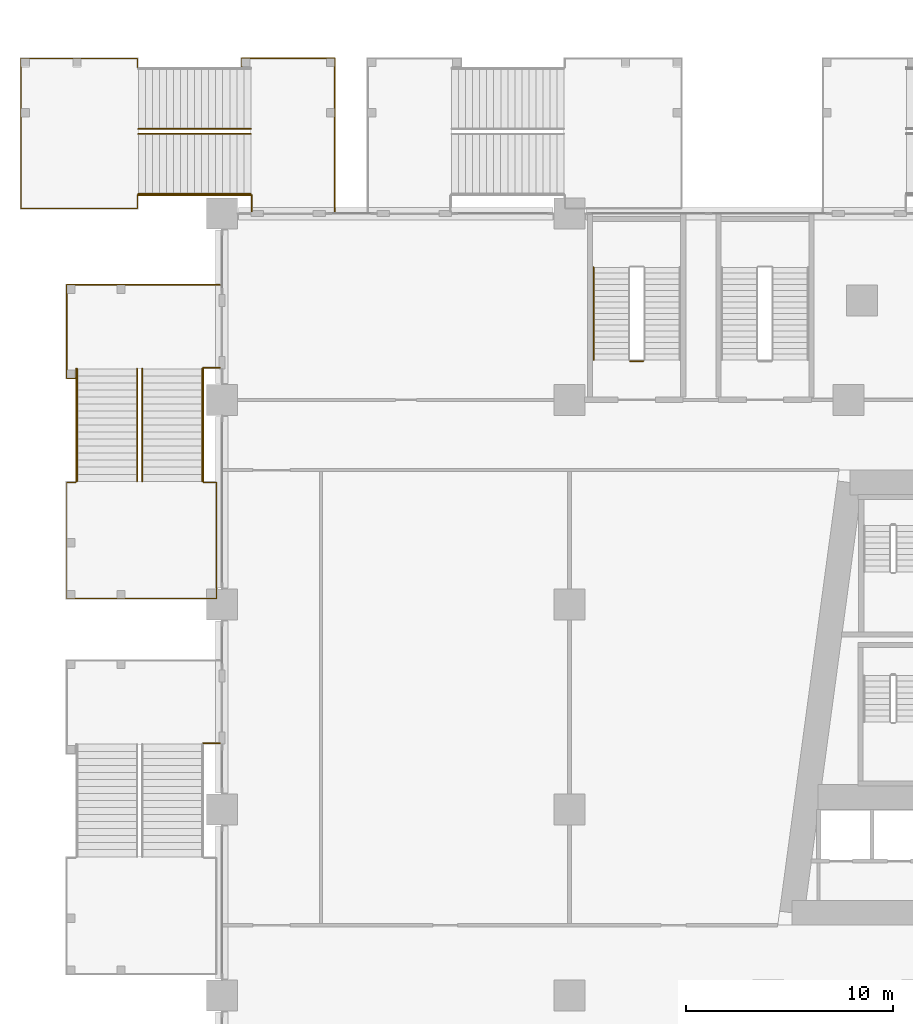
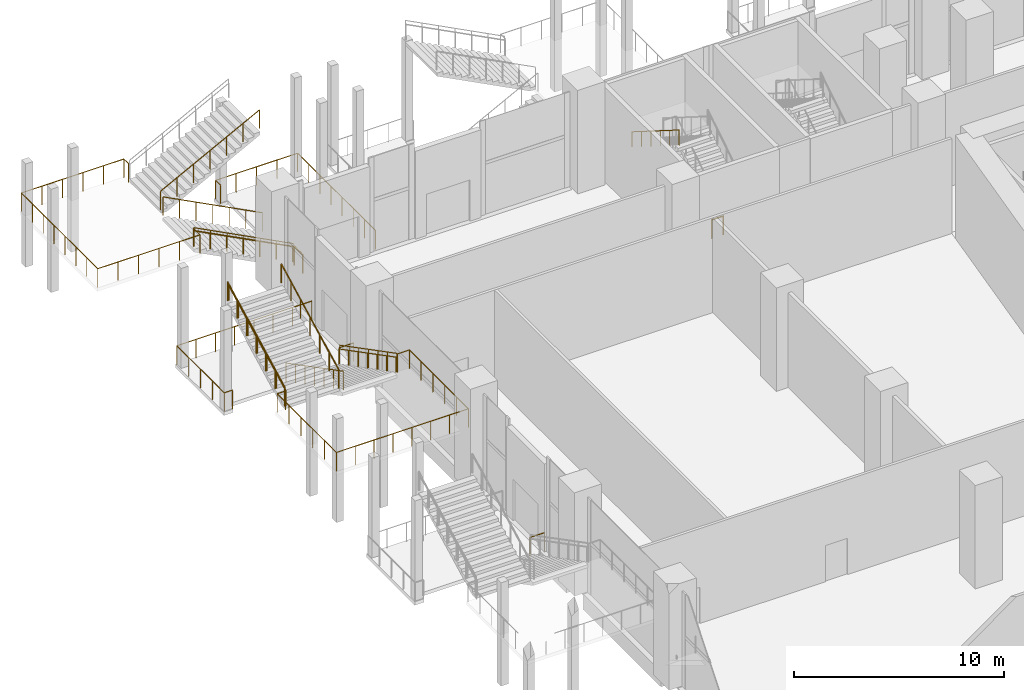
# One storey, part 40 of 49: 19 railings.
"""IFC4 building model written with IfcOpenShell, lengths in metres."""

from ifc_helpers import new_model, si_unit, direction, frame, origin, origin_2d, place, context, subcontext, project, spatial, circle, extrude, material, type_object, element, save


model = new_model("IFC4")

# Units and contexts
model_context = context("Model", 3, precision=1e-05, world=origin(), true_north=direction((0.0, 1.0)))
body_context = subcontext(model_context, "Body", "Model", "MODEL_VIEW")
ifc_project = project(units=[si_unit("LENGTHUNIT", "METRE"), si_unit("AREAUNIT", "SQUARE_METRE"), si_unit("VOLUMEUNIT", "CUBIC_METRE"), si_unit("PLANEANGLEUNIT", "RADIAN"), si_unit("MASSUNIT", "GRAM", prefix="KILO")], contexts=[model_context])

# Site, building, storey
site_placement = place(None, origin())
site = spatial("IfcSite", under=ifc_project, at=site_placement, CompositionType="ELEMENT")
building_placement = place(site_placement, origin())
building = spatial("IfcBuilding", under=site, at=building_placement, Name="Candeia Pilgrim Tower and Theatre", CompositionType="ELEMENT")
storey_placement = place(building_placement, frame((0.0, 0.0, 17.0)))
storey = spatial("IfcBuildingStorey", under=building, at=storey_placement, Name="L02", CompositionType="ELEMENT", Elevation=17.0)

# Railings
ifc_material_1 = material(Name="Stainless steel balustrade", Category="steel")
railing_type_1 = type_object("IfcRailingType", Name="RL-GUARD-1100", PredefinedType="GUARDRAIL", material=ifc_material_1)
railing_1_placement = place(storey_placement, frame((79.175048828125, 137.675048828125, 0.0)))
element("IfcRailing", 1, at=railing_1_placement, inside=storey, type_object=railing_type_1, Name="L02 PS1 stair guard 2", PredefinedType="GUARDRAIL", context=body_context, shape_type="SweptSolid", body=[
    extrude(circle(Radius=0.02392578125, at=origin_2d()), frame((0.0, 0.0, 1.076171875), z_axis=(-1.0, 0.0, 0.0), x_axis=(0.0, -1.0, 0.0)), (0.0, 0.0, 1.0), 0.650146484375),
    extrude(circle(Radius=0.02099609375, at=origin_2d()), origin(), (0.0, 0.0, 1.0), 1.052001953125),
    extrude(circle(Radius=0.02099609375, at=origin_2d()), frame((-0.650146484375, 0.0, 0.0)), (0.0, 0.0, 1.0), 1.052001953125),
])
railing_2_placement = place(storey_placement, frame((60.199951171875, 148.64990234375, 0.176513671875)))
element("IfcRailing", 2, at=railing_2_placement, inside=storey, type_object=railing_type_1, Name="L02 ES3 stair guard 1", PredefinedType="GUARDRAIL", context=body_context, shape_type="SweptSolid", body=[
    extrude(circle(Radius=0.02392578125, at=origin_2d()), frame((0.0, 0.0, 1.076171875), z_axis=(-0.887569374008, 0.0, 0.460674078198), x_axis=(0.0, -1.0, 0.0)), (0.0, 0.0, 1.0), 6.129150390625),
    extrude(circle(Radius=0.02099609375, at=origin_2d()), origin(), (0.0, 0.0, 1.0), 1.052001953125),
    extrude(circle(Radius=0.02099609375, at=origin_2d()), frame((-0.90673828125, 0.0, 0.470703125)), (0.0, 0.0, 1.0), 1.052001953125),
    extrude(circle(Radius=0.02099609375, at=origin_2d()), frame((-1.813232421875, 0.0, 0.941162109375)), (0.0, 0.0, 1.0), 1.052001953125),
    extrude(circle(Radius=0.02099609375, at=origin_2d()), frame((-2.719970703125, 0.0, 1.41162109375)), (0.0, 0.0, 1.0), 1.052001953125),
    extrude(circle(Radius=0.02099609375, at=origin_2d()), frame((-3.626708984375, 0.0, 1.88232421875)), (0.0, 0.0, 1.0), 1.052001953125),
    extrude(circle(Radius=0.02099609375, at=origin_2d()), frame((-4.533203125, 0.0, 2.35302734375)), (0.0, 0.0, 1.0), 1.052001953125),
    extrude(circle(Radius=0.02099609375, at=origin_2d()), frame((-5.43994140625, 0.0, 2.823486328125)), (0.0, 0.0, 1.0), 1.052001953125),
])
railing_3_placement = place(storey_placement, frame((54.760009765625, 148.89990234375, 3.176513671875)))
element("IfcRailing", 3, at=railing_3_placement, inside=storey, type_object=railing_type_1, Name="L02 ES3 stair guard 2", PredefinedType="GUARDRAIL", context=body_context, shape_type="SweptSolid", body=[
    extrude(circle(Radius=0.02392578125, at=origin_2d()), frame((0.0, 0.0, 1.076171875), z_axis=(0.887569374008, 0.0, 0.460674078198), x_axis=(0.0, 1.0, 0.0)), (0.0, 0.0, 1.0), 6.129150390625),
    extrude(circle(Radius=0.02099609375, at=origin_2d()), origin(), (0.0, 0.0, 1.0), 1.052001953125),
    extrude(circle(Radius=0.02099609375, at=origin_2d()), frame((0.90673828125, 0.0, 0.470703125)), (0.0, 0.0, 1.0), 1.052001953125),
    extrude(circle(Radius=0.02099609375, at=origin_2d()), frame((1.813232421875, 0.0, 0.941162109375)), (0.0, 0.0, 1.0), 1.052001953125),
    extrude(circle(Radius=0.02099609375, at=origin_2d()), frame((2.719970703125, 0.0, 1.41162109375)), (0.0, 0.0, 1.0), 1.052001953125),
    extrude(circle(Radius=0.02099609375, at=origin_2d()), frame((3.626708984375, 0.0, 1.88232421875)), (0.0, 0.0, 1.0), 1.052001953125),
    extrude(circle(Radius=0.02099609375, at=origin_2d()), frame((4.533203125, 0.0, 2.35302734375)), (0.0, 0.0, 1.0), 1.052001953125),
    extrude(circle(Radius=0.02099609375, at=origin_2d()), frame((5.43994140625, 0.0, 2.823486328125)), (0.0, 0.0, 1.0), 1.052001953125),
])
railing_4_placement = place(storey_placement, frame((60.199951171875, 145.699951171875, 0.176513671875)))
element("IfcRailing", 4, at=railing_4_placement, inside=storey, type_object=railing_type_1, Name="L02 ES3 stair guard 3", PredefinedType="GUARDRAIL", context=body_context, shape_type="SweptSolid", body=[
    extrude(circle(Radius=0.02392578125, at=origin_2d()), frame((0.0, 0.0, 1.076171875), z_axis=(-0.887569374008, 0.0, 0.460674078198), x_axis=(0.0, -1.0, 0.0)), (0.0, 0.0, 1.0), 6.129150390625),
    extrude(circle(Radius=0.02099609375, at=origin_2d()), origin(), (0.0, 0.0, 1.0), 1.052001953125),
    extrude(circle(Radius=0.02099609375, at=origin_2d()), frame((-0.90673828125, 0.0, 0.470703125)), (0.0, 0.0, 1.0), 1.052001953125),
    extrude(circle(Radius=0.02099609375, at=origin_2d()), frame((-1.813232421875, 0.0, 0.941162109375)), (0.0, 0.0, 1.0), 1.052001953125),
    extrude(circle(Radius=0.02099609375, at=origin_2d()), frame((-2.719970703125, 0.0, 1.41162109375)), (0.0, 0.0, 1.0), 1.052001953125),
    extrude(circle(Radius=0.02099609375, at=origin_2d()), frame((-3.626708984375, 0.0, 1.88232421875)), (0.0, 0.0, 1.0), 1.052001953125),
    extrude(circle(Radius=0.02099609375, at=origin_2d()), frame((-4.533203125, 0.0, 2.35302734375)), (0.0, 0.0, 1.0), 1.052001953125),
    extrude(circle(Radius=0.02099609375, at=origin_2d()), frame((-5.43994140625, 0.0, 2.823486328125)), (0.0, 0.0, 1.0), 1.052001953125),
])
railing_5_placement = place(storey_placement, frame((54.7099609375, 145.699951171875, 3.0)))
element("IfcRailing", 5, at=railing_5_placement, inside=storey, type_object=railing_type_1, Name="L02 ES3 stair guard 5", PredefinedType="GUARDRAIL", context=body_context, shape_type="SweptSolid", body=[
    extrude(circle(Radius=0.02392578125, at=origin_2d()), frame((0.0, 0.0, 1.076171875), z_axis=(0.0, -1.0, 0.0), x_axis=(1.0, 0.0, 0.0)), (0.0, 0.0, 1.0), 0.64990234375),
    extrude(circle(Radius=0.02392578125, at=origin_2d()), frame((0.0, -0.64990234375, 1.076171875), z_axis=(-1.0, 0.0, 0.0), x_axis=(0.0, -1.0, 0.0)), (0.0, 0.0, 1.0), 5.619873046875),
    extrude(circle(Radius=0.02392578125, at=origin_2d()), frame((-5.619873046875, -0.64990234375, 1.076171875), z_axis=(0.0, 1.0, 0.0), x_axis=(-1.0, 0.0, 0.0)), (0.0, 0.0, 1.0), 7.25),
    extrude(circle(Radius=0.02392578125, at=origin_2d()), frame((-5.619873046875, 6.60009765625, 1.076171875), z_axis=(1.0, 0.0, 0.0), x_axis=(0.0, 1.0, 0.0)), (0.0, 0.0, 1.0), 5.619873046875),
    extrude(circle(Radius=0.02392578125, at=origin_2d()), frame((0.0, 6.60009765625, 1.076171875), z_axis=(0.0, -1.0, 0.0), x_axis=(1.0, 0.0, 0.0)), (0.0, 0.0, 1.0), 0.449951171875),
    extrude(circle(Radius=0.02099609375, at=origin_2d()), origin(), (0.0, 0.0, 1.0), 1.052001953125),
    extrude(circle(Radius=0.02099609375, at=origin_2d()), frame((0.0, -0.64990234375, 0.0)), (0.0, 0.0, 1.0), 1.052001953125),
    extrude(circle(Radius=0.02099609375, at=origin_2d()), frame((-1.1240234375, -0.64990234375, 0.0)), (0.0, 0.0, 1.0), 1.052001953125),
    extrude(circle(Radius=0.02099609375, at=origin_2d()), frame((-2.248046875, -0.64990234375, 0.0)), (0.0, 0.0, 1.0), 1.052001953125),
    extrude(circle(Radius=0.02099609375, at=origin_2d()), frame((-3.371826171875, -0.64990234375, 0.0)), (0.0, 0.0, 1.0), 1.052001953125),
    extrude(circle(Radius=0.02099609375, at=origin_2d()), frame((-4.495849609375, -0.64990234375, 0.0)), (0.0, 0.0, 1.0), 1.052001953125),
    extrude(circle(Radius=0.02099609375, at=origin_2d()), frame((-5.619873046875, -0.64990234375, 0.0)), (0.0, 0.0, 1.0), 1.052001953125),
    extrude(circle(Radius=0.02099609375, at=origin_2d()), frame((-5.619873046875, 0.3857421875, 0.0)), (0.0, 0.0, 1.0), 1.052001953125),
    extrude(circle(Radius=0.02099609375, at=origin_2d()), frame((-5.619873046875, 1.421630859375, 0.0)), (0.0, 0.0, 1.0), 1.052001953125),
    extrude(circle(Radius=0.02099609375, at=origin_2d()), frame((-5.619873046875, 2.457275390625, 0.0)), (0.0, 0.0, 1.0), 1.052001953125),
    extrude(circle(Radius=0.02099609375, at=origin_2d()), frame((-5.619873046875, 3.492919921875, 0.0)), (0.0, 0.0, 1.0), 1.052001953125),
    extrude(circle(Radius=0.02099609375, at=origin_2d()), frame((-5.619873046875, 4.528564453125, 0.0)), (0.0, 0.0, 1.0), 1.052001953125),
    extrude(circle(Radius=0.02099609375, at=origin_2d()), frame((-5.619873046875, 5.564453125, 0.0)), (0.0, 0.0, 1.0), 1.052001953125),
    extrude(circle(Radius=0.02099609375, at=origin_2d()), frame((-5.619873046875, 6.60009765625, 0.0)), (0.0, 0.0, 1.0), 1.052001953125),
    extrude(circle(Radius=0.02099609375, at=origin_2d()), frame((-4.495849609375, 6.60009765625, 0.0)), (0.0, 0.0, 1.0), 1.052001953125),
    extrude(circle(Radius=0.02099609375, at=origin_2d()), frame((-3.371826171875, 6.60009765625, 0.0)), (0.0, 0.0, 1.0), 1.052001953125),
    extrude(circle(Radius=0.02099609375, at=origin_2d()), frame((-2.248046875, 6.60009765625, 0.0)), (0.0, 0.0, 1.0), 1.052001953125),
    extrude(circle(Radius=0.02099609375, at=origin_2d()), frame((-1.1240234375, 6.60009765625, 0.0)), (0.0, 0.0, 1.0), 1.052001953125),
    extrude(circle(Radius=0.02099609375, at=origin_2d()), frame((0.0, 6.60009765625, 0.0)), (0.0, 0.0, 1.0), 1.052001953125),
    extrude(circle(Radius=0.02099609375, at=origin_2d()), frame((0.0, 6.150146484375, 0.0)), (0.0, 0.0, 1.0), 1.052001953125),
])
railing_6_placement = place(storey_placement, frame((64.25, 144.89990234375, 0.0)))
element("IfcRailing", 6, at=railing_6_placement, inside=storey, type_object=railing_type_1, Name="L02 External escape stair ES3 landing guard", PredefinedType="GUARDRAIL", context=body_context, shape_type="SweptSolid", body=[
    extrude(circle(Radius=0.02392578125, at=origin_2d()), frame((0.0, 0.0, 1.076171875), z_axis=(0.0, 1.0, 0.0), x_axis=(-1.0, 0.0, 0.0)), (0.0, 0.0, 1.0), 7.400146484375),
    extrude(circle(Radius=0.02392578125, at=origin_2d()), frame((0.0, 7.400146484375, 1.076171875), z_axis=(-1.0, 0.0, 0.0), x_axis=(0.0, -1.0, 0.0)), (0.0, 0.0, 1.0), 4.5),
    extrude(circle(Radius=0.02392578125, at=origin_2d()), frame((-4.5, 7.400146484375, 1.076171875), z_axis=(0.0, -1.0, 0.0), x_axis=(1.0, 0.0, 0.0)), (0.0, 0.0, 1.0), 0.449951171875),
    extrude(circle(Radius=0.02099609375, at=origin_2d()), origin(), (0.0, 0.0, 1.0), 1.052001953125),
    extrude(circle(Radius=0.02099609375, at=origin_2d()), frame((0.0, 1.05712890625, 0.0)), (0.0, 0.0, 1.0), 1.052001953125),
    extrude(circle(Radius=0.02099609375, at=origin_2d()), frame((0.0, 2.1142578125, 0.0)), (0.0, 0.0, 1.0), 1.052001953125),
    extrude(circle(Radius=0.02099609375, at=origin_2d()), frame((0.0, 3.17138671875, 0.0)), (0.0, 0.0, 1.0), 1.052001953125),
    extrude(circle(Radius=0.02099609375, at=origin_2d()), frame((0.0, 4.228759765625, 0.0)), (0.0, 0.0, 1.0), 1.052001953125),
    extrude(circle(Radius=0.02099609375, at=origin_2d()), frame((0.0, 5.285888671875, 0.0)), (0.0, 0.0, 1.0), 1.052001953125),
    extrude(circle(Radius=0.02099609375, at=origin_2d()), frame((0.0, 6.343017578125, 0.0)), (0.0, 0.0, 1.0), 1.052001953125),
    extrude(circle(Radius=0.02099609375, at=origin_2d()), frame((0.0, 7.400146484375, 0.0)), (0.0, 0.0, 1.0), 1.052001953125),
    extrude(circle(Radius=0.02099609375, at=origin_2d()), frame((-1.125, 7.400146484375, 0.0)), (0.0, 0.0, 1.0), 1.052001953125),
    extrude(circle(Radius=0.02099609375, at=origin_2d()), frame((-2.25, 7.400146484375, 0.0)), (0.0, 0.0, 1.0), 1.052001953125),
    extrude(circle(Radius=0.02099609375, at=origin_2d()), frame((-3.375, 7.400146484375, 0.0)), (0.0, 0.0, 1.0), 1.052001953125),
    extrude(circle(Radius=0.02099609375, at=origin_2d()), frame((-4.5, 7.400146484375, 0.0)), (0.0, 0.0, 1.0), 1.052001953125),
    extrude(circle(Radius=0.02099609375, at=origin_2d()), frame((-4.5, 6.9501953125, 0.0)), (0.0, 0.0, 1.0), 1.052001953125),
])
railing_7_placement = place(storey_placement, frame((60.25, 144.89990234375, 0.0)))
element("IfcRailing", 7, at=railing_7_placement, inside=storey, type_object=railing_type_1, Name="L02 External escape stair ES3 bridge guard", PredefinedType="GUARDRAIL", context=body_context, shape_type="SweptSolid", body=[
    extrude(circle(Radius=0.02392578125, at=origin_2d()), frame((0.0, 0.0, 1.076171875), z_axis=(0.0, 1.0, 0.0), x_axis=(-1.0, 0.0, 0.0)), (0.0, 0.0, 1.0), 0.800048828125),
    extrude(circle(Radius=0.02099609375, at=origin_2d()), origin(), (0.0, 0.0, 1.0), 1.052001953125),
    extrude(circle(Radius=0.02099609375, at=origin_2d()), frame((0.0, 0.800048828125, 0.0)), (0.0, 0.0, 1.0), 1.052001953125),
])
railing_8_placement = place(storey_placement, frame((54.949951171875, 137.300048828125, 0.176513671875)))
element("IfcRailing", 8, at=railing_8_placement, inside=storey, type_object=railing_type_1, Name="L02 ES13 stair guard 1", PredefinedType="GUARDRAIL", context=body_context, shape_type="SweptSolid", body=[
    extrude(circle(Radius=0.02392578125, at=origin_2d()), frame((0.0, 0.0, 1.076171875), z_axis=(0.0, -0.887569374008, 0.460674078198), x_axis=(1.0, 0.0, 0.0)), (0.0, 0.0, 1.0), 6.129150390625),
    extrude(circle(Radius=0.02099609375, at=origin_2d()), origin(), (0.0, 0.0, 1.0), 1.052001953125),
    extrude(circle(Radius=0.02099609375, at=origin_2d()), frame((0.0, -0.90673828125, 0.470703125)), (0.0, 0.0, 1.0), 1.052001953125),
    extrude(circle(Radius=0.02099609375, at=origin_2d()), frame((0.0, -1.813232421875, 0.941162109375)), (0.0, 0.0, 1.0), 1.052001953125),
    extrude(circle(Radius=0.02099609375, at=origin_2d()), frame((0.0, -2.719970703125, 1.41162109375)), (0.0, 0.0, 1.0), 1.052001953125),
    extrude(circle(Radius=0.02099609375, at=origin_2d()), frame((0.0, -3.626708984375, 1.88232421875)), (0.0, 0.0, 1.0), 1.052001953125),
    extrude(circle(Radius=0.02099609375, at=origin_2d()), frame((0.0, -4.533203125, 2.35302734375)), (0.0, 0.0, 1.0), 1.052001953125),
    extrude(circle(Radius=0.02099609375, at=origin_2d()), frame((0.0, -5.43994140625, 2.823486328125)), (0.0, 0.0, 1.0), 1.052001953125),
])
railing_9_placement = place(storey_placement, frame((54.699951171875, 131.860107421875, 3.176513671875)))
element("IfcRailing", 9, at=railing_9_placement, inside=storey, type_object=railing_type_1, Name="L02 ES13 stair guard 2", PredefinedType="GUARDRAIL", context=body_context, shape_type="SweptSolid", body=[
    extrude(circle(Radius=0.02392578125, at=origin_2d()), frame((0.0, 0.0, 1.076171875), z_axis=(0.0, 0.887569374008, 0.460674078198), x_axis=(-1.0, 0.0, 0.0)), (0.0, 0.0, 1.0), 6.129150390625),
    extrude(circle(Radius=0.02099609375, at=origin_2d()), origin(), (0.0, 0.0, 1.0), 1.052001953125),
    extrude(circle(Radius=0.02099609375, at=origin_2d()), frame((0.0, 0.90673828125, 0.470703125)), (0.0, 0.0, 1.0), 1.052001953125),
    extrude(circle(Radius=0.02099609375, at=origin_2d()), frame((0.0, 1.813232421875, 0.941162109375)), (0.0, 0.0, 1.0), 1.052001953125),
    extrude(circle(Radius=0.02099609375, at=origin_2d()), frame((0.0, 2.719970703125, 1.41162109375)), (0.0, 0.0, 1.0), 1.052001953125),
    extrude(circle(Radius=0.02099609375, at=origin_2d()), frame((0.0, 3.626708984375, 1.88232421875)), (0.0, 0.0, 1.0), 1.052001953125),
    extrude(circle(Radius=0.02099609375, at=origin_2d()), frame((0.0, 4.533203125, 2.35302734375)), (0.0, 0.0, 1.0), 1.052001953125),
    extrude(circle(Radius=0.02099609375, at=origin_2d()), frame((0.0, 5.43994140625, 2.823486328125)), (0.0, 0.0, 1.0), 1.052001953125),
])
railing_10_placement = place(storey_placement, frame((57.89990234375, 137.300048828125, 0.176513671875)))
element("IfcRailing", 10, at=railing_10_placement, inside=storey, type_object=railing_type_1, Name="L02 ES13 stair guard 3", PredefinedType="GUARDRAIL", context=body_context, shape_type="SweptSolid", body=[
    extrude(circle(Radius=0.02392578125, at=origin_2d()), frame((0.0, 0.0, 1.076171875), z_axis=(0.0, -0.887569374008, 0.460674078198), x_axis=(1.0, 0.0, 0.0)), (0.0, 0.0, 1.0), 6.129150390625),
    extrude(circle(Radius=0.02099609375, at=origin_2d()), origin(), (0.0, 0.0, 1.0), 1.052001953125),
    extrude(circle(Radius=0.02099609375, at=origin_2d()), frame((0.0, -0.90673828125, 0.470703125)), (0.0, 0.0, 1.0), 1.052001953125),
    extrude(circle(Radius=0.02099609375, at=origin_2d()), frame((0.0, -1.813232421875, 0.941162109375)), (0.0, 0.0, 1.0), 1.052001953125),
    extrude(circle(Radius=0.02099609375, at=origin_2d()), frame((0.0, -2.719970703125, 1.41162109375)), (0.0, 0.0, 1.0), 1.052001953125),
    extrude(circle(Radius=0.02099609375, at=origin_2d()), frame((0.0, -3.626708984375, 1.88232421875)), (0.0, 0.0, 1.0), 1.052001953125),
    extrude(circle(Radius=0.02099609375, at=origin_2d()), frame((0.0, -4.533203125, 2.35302734375)), (0.0, 0.0, 1.0), 1.052001953125),
    extrude(circle(Radius=0.02099609375, at=origin_2d()), frame((0.0, -5.43994140625, 2.823486328125)), (0.0, 0.0, 1.0), 1.052001953125),
])
railing_11_placement = place(storey_placement, frame((51.75, 131.860107421875, 3.176513671875)))
element("IfcRailing", 11, at=railing_11_placement, inside=storey, type_object=railing_type_1, Name="L02 ES13 stair guard 4", PredefinedType="GUARDRAIL", context=body_context, shape_type="SweptSolid", body=[
    extrude(circle(Radius=0.02392578125, at=origin_2d()), frame((0.0, 0.0, 1.076171875), z_axis=(0.0, 0.887569374008, 0.460674078198), x_axis=(-1.0, 0.0, 0.0)), (0.0, 0.0, 1.0), 6.129150390625),
    extrude(circle(Radius=0.02099609375, at=origin_2d()), origin(), (0.0, 0.0, 1.0), 1.052001953125),
    extrude(circle(Radius=0.02099609375, at=origin_2d()), frame((0.0, 0.90673828125, 0.470703125)), (0.0, 0.0, 1.0), 1.052001953125),
    extrude(circle(Radius=0.02099609375, at=origin_2d()), frame((0.0, 1.813232421875, 0.941162109375)), (0.0, 0.0, 1.0), 1.052001953125),
    extrude(circle(Radius=0.02099609375, at=origin_2d()), frame((0.0, 2.719970703125, 1.41162109375)), (0.0, 0.0, 1.0), 1.052001953125),
    extrude(circle(Radius=0.02099609375, at=origin_2d()), frame((0.0, 3.626708984375, 1.88232421875)), (0.0, 0.0, 1.0), 1.052001953125),
    extrude(circle(Radius=0.02099609375, at=origin_2d()), frame((0.0, 4.533203125, 2.35302734375)), (0.0, 0.0, 1.0), 1.052001953125),
    extrude(circle(Radius=0.02099609375, at=origin_2d()), frame((0.0, 5.43994140625, 2.823486328125)), (0.0, 0.0, 1.0), 1.052001953125),
])
railing_12_placement = place(storey_placement, frame((57.89990234375, 131.81005859375, 3.0)))
element("IfcRailing", 12, at=railing_12_placement, inside=storey, type_object=railing_type_1, Name="L02 ES13 stair guard 5", PredefinedType="GUARDRAIL", context=body_context, shape_type="SweptSolid", body=[
    extrude(circle(Radius=0.02392578125, at=origin_2d()), frame((0.0, 0.0, 1.076171875), z_axis=(1.0, 0.0, 0.0), x_axis=(0.0, 1.0, 0.0)), (0.0, 0.0, 1.0), 0.650146484375),
    extrude(circle(Radius=0.02392578125, at=origin_2d()), frame((0.650146484375, 0.0, 1.076171875), z_axis=(0.0, -1.0, 0.0), x_axis=(1.0, 0.0, 0.0)), (0.0, 0.0, 1.0), 5.6201171875),
    extrude(circle(Radius=0.02392578125, at=origin_2d()), frame((0.650146484375, -5.6201171875, 1.076171875), z_axis=(-1.0, 0.0, 0.0), x_axis=(0.0, -1.0, 0.0)), (0.0, 0.0, 1.0), 7.25),
    extrude(circle(Radius=0.02392578125, at=origin_2d()), frame((-6.599853515625, -5.6201171875, 1.076171875), z_axis=(0.0, 1.0, 0.0), x_axis=(-1.0, 0.0, 0.0)), (0.0, 0.0, 1.0), 5.6201171875),
    extrude(circle(Radius=0.02392578125, at=origin_2d()), frame((-6.599853515625, 0.0, 1.076171875), z_axis=(1.0, 0.0, 0.0), x_axis=(0.0, 1.0, 0.0)), (0.0, 0.0, 1.0), 0.449951171875),
    extrude(circle(Radius=0.02099609375, at=origin_2d()), origin(), (0.0, 0.0, 1.0), 1.052001953125),
    extrude(circle(Radius=0.02099609375, at=origin_2d()), frame((0.650146484375, 0.0, 0.0)), (0.0, 0.0, 1.0), 1.052001953125),
    extrude(circle(Radius=0.02099609375, at=origin_2d()), frame((0.650146484375, -1.1240234375, 0.0)), (0.0, 0.0, 1.0), 1.052001953125),
    extrude(circle(Radius=0.02099609375, at=origin_2d()), frame((0.650146484375, -2.248046875, 0.0)), (0.0, 0.0, 1.0), 1.052001953125),
    extrude(circle(Radius=0.02099609375, at=origin_2d()), frame((0.650146484375, -3.3720703125, 0.0)), (0.0, 0.0, 1.0), 1.052001953125),
    extrude(circle(Radius=0.02099609375, at=origin_2d()), frame((0.650146484375, -4.49609375, 0.0)), (0.0, 0.0, 1.0), 1.052001953125),
    extrude(circle(Radius=0.02099609375, at=origin_2d()), frame((0.650146484375, -5.6201171875, 0.0)), (0.0, 0.0, 1.0), 1.052001953125),
    extrude(circle(Radius=0.02099609375, at=origin_2d()), frame((-0.385498046875, -5.6201171875, 0.0)), (0.0, 0.0, 1.0), 1.052001953125),
    extrude(circle(Radius=0.02099609375, at=origin_2d()), frame((-1.42138671875, -5.6201171875, 0.0)), (0.0, 0.0, 1.0), 1.052001953125),
    extrude(circle(Radius=0.02099609375, at=origin_2d()), frame((-2.45703125, -5.6201171875, 0.0)), (0.0, 0.0, 1.0), 1.052001953125),
    extrude(circle(Radius=0.02099609375, at=origin_2d()), frame((-3.49267578125, -5.6201171875, 0.0)), (0.0, 0.0, 1.0), 1.052001953125),
    extrude(circle(Radius=0.02099609375, at=origin_2d()), frame((-4.5283203125, -5.6201171875, 0.0)), (0.0, 0.0, 1.0), 1.052001953125),
    extrude(circle(Radius=0.02099609375, at=origin_2d()), frame((-5.564208984375, -5.6201171875, 0.0)), (0.0, 0.0, 1.0), 1.052001953125),
    extrude(circle(Radius=0.02099609375, at=origin_2d()), frame((-6.599853515625, -5.6201171875, 0.0)), (0.0, 0.0, 1.0), 1.052001953125),
    extrude(circle(Radius=0.02099609375, at=origin_2d()), frame((-6.599853515625, -4.49609375, 0.0)), (0.0, 0.0, 1.0), 1.052001953125),
    extrude(circle(Radius=0.02099609375, at=origin_2d()), frame((-6.599853515625, -3.3720703125, 0.0)), (0.0, 0.0, 1.0), 1.052001953125),
    extrude(circle(Radius=0.02099609375, at=origin_2d()), frame((-6.599853515625, -2.248046875, 0.0)), (0.0, 0.0, 1.0), 1.052001953125),
    extrude(circle(Radius=0.02099609375, at=origin_2d()), frame((-6.599853515625, -1.1240234375, 0.0)), (0.0, 0.0, 1.0), 1.052001953125),
    extrude(circle(Radius=0.02099609375, at=origin_2d()), frame((-6.599853515625, 0.0, 0.0)), (0.0, 0.0, 1.0), 1.052001953125),
    extrude(circle(Radius=0.02099609375, at=origin_2d()), frame((-6.14990234375, 0.0, 0.0)), (0.0, 0.0, 1.0), 1.052001953125),
])
railing_13_placement = place(storey_placement, frame((58.699951171875, 141.35009765625, 0.0)))
element("IfcRailing", 13, at=railing_13_placement, inside=storey, type_object=railing_type_1, Name="L02 External escape stair ES13 landing guard", PredefinedType="GUARDRAIL", context=body_context, shape_type="SweptSolid", body=[
    extrude(circle(Radius=0.02392578125, at=origin_2d()), frame((0.0, 0.0, 1.076171875), z_axis=(-1.0, 0.0, 0.0), x_axis=(0.0, -1.0, 0.0)), (0.0, 0.0, 1.0), 7.39990234375),
    extrude(circle(Radius=0.02392578125, at=origin_2d()), frame((-7.39990234375, 0.0, 1.076171875), z_axis=(0.0, -1.0, 0.0), x_axis=(1.0, 0.0, 0.0)), (0.0, 0.0, 1.0), 4.5),
    extrude(circle(Radius=0.02392578125, at=origin_2d()), frame((-7.39990234375, -4.5, 1.076171875), z_axis=(1.0, 0.0, 0.0), x_axis=(0.0, 1.0, 0.0)), (0.0, 0.0, 1.0), 0.449951171875),
    extrude(circle(Radius=0.02099609375, at=origin_2d()), origin(), (0.0, 0.0, 1.0), 1.052001953125),
    extrude(circle(Radius=0.02099609375, at=origin_2d()), frame((-1.05712890625, 0.0, 0.0)), (0.0, 0.0, 1.0), 1.052001953125),
    extrude(circle(Radius=0.02099609375, at=origin_2d()), frame((-2.1142578125, 0.0, 0.0)), (0.0, 0.0, 1.0), 1.052001953125),
    extrude(circle(Radius=0.02099609375, at=origin_2d()), frame((-3.17138671875, 0.0, 0.0)), (0.0, 0.0, 1.0), 1.052001953125),
    extrude(circle(Radius=0.02099609375, at=origin_2d()), frame((-4.228515625, 0.0, 0.0)), (0.0, 0.0, 1.0), 1.052001953125),
    extrude(circle(Radius=0.02099609375, at=origin_2d()), frame((-5.28564453125, 0.0, 0.0)), (0.0, 0.0, 1.0), 1.052001953125),
    extrude(circle(Radius=0.02099609375, at=origin_2d()), frame((-6.3427734375, 0.0, 0.0)), (0.0, 0.0, 1.0), 1.052001953125),
    extrude(circle(Radius=0.02099609375, at=origin_2d()), frame((-7.39990234375, 0.0, 0.0)), (0.0, 0.0, 1.0), 1.052001953125),
    extrude(circle(Radius=0.02099609375, at=origin_2d()), frame((-7.39990234375, -1.125, 0.0)), (0.0, 0.0, 1.0), 1.052001953125),
    extrude(circle(Radius=0.02099609375, at=origin_2d()), frame((-7.39990234375, -2.25, 0.0)), (0.0, 0.0, 1.0), 1.052001953125),
    extrude(circle(Radius=0.02099609375, at=origin_2d()), frame((-7.39990234375, -3.375, 0.0)), (0.0, 0.0, 1.0), 1.052001953125),
    extrude(circle(Radius=0.02099609375, at=origin_2d()), frame((-7.39990234375, -4.5, 0.0)), (0.0, 0.0, 1.0), 1.052001953125),
    extrude(circle(Radius=0.02099609375, at=origin_2d()), frame((-6.949951171875, -4.5, 0.0)), (0.0, 0.0, 1.0), 1.052001953125),
])
for number, where, name in (
    (14, (58.699951171875, 137.35009765625, 0.0), "L02 External escape stair ES13 bridge guard"),
    (15, (58.699951171875, 119.199951171875, 0.0), "L02 External escape stair ES15 bridge guard"),
):
    element("IfcRailing", number, at=place(storey_placement, frame(where)), inside=storey, type_object=railing_type_1, Name=name, PredefinedType="GUARDRAIL", context=body_context, shape_type="SweptSolid", body=[
        extrude(circle(Radius=0.02392578125, at=origin_2d()), frame((0.0, 0.0, 1.076171875), z_axis=(-1.0, 0.0, 0.0), x_axis=(0.0, -1.0, 0.0)), (0.0, 0.0, 1.0), 0.800048828125),
        extrude(circle(Radius=0.02099609375, at=origin_2d()), origin(), (0.0, 0.0, 1.0), 1.052001953125),
        extrude(circle(Radius=0.02099609375, at=origin_2d()), frame((-0.800048828125, 0.0, 0.0)), (0.0, 0.0, 1.0), 1.052001953125),
    ])
ifc_material_2 = material(Name="Stainless steel handrail", Category="steel")
railing_type_2 = type_object("IfcRailingType", Name="RL-HANDRAIL-900", PredefinedType="HANDRAIL", material=ifc_material_2)
railing_14_placement = place(storey_placement, frame((76.77490234375, 142.205078125, 3.176513671875)))
element("IfcRailing", 16, at=railing_14_placement, inside=storey, type_object=railing_type_2, Name="L02 PS1 stair handrail 2", PredefinedType="HANDRAIL", context=body_context, shape_type="SweptSolid", body=[
    extrude(circle(Radius=0.02392578125, at=origin_2d()), frame((0.0, 0.0, 0.8759765625), z_axis=(0.0, -0.845997938375, 0.533186166611), x_axis=(1.0, 0.0, 0.0)), (0.0, 0.0, 1.0), 5.29541015625),
    extrude(circle(Radius=0.02099609375, at=origin_2d()), origin(), (0.0, 0.0, 1.0), 0.851806640625),
    extrude(circle(Radius=0.02099609375, at=origin_2d()), frame((0.0, -0.89599609375, 0.564697265625)), (0.0, 0.0, 1.0), 0.851806640625),
    extrude(circle(Radius=0.02099609375, at=origin_2d()), frame((0.0, -1.7919921875, 1.12939453125)), (0.0, 0.0, 1.0), 0.851806640625),
    extrude(circle(Radius=0.02099609375, at=origin_2d()), frame((0.0, -2.68798828125, 1.694091796875)), (0.0, 0.0, 1.0), 0.851806640625),
    extrude(circle(Radius=0.02099609375, at=origin_2d()), frame((0.0, -3.583984375, 2.2587890625)), (0.0, 0.0, 1.0), 0.851806640625),
    extrude(circle(Radius=0.02099609375, at=origin_2d()), frame((0.0, -4.47998046875, 2.823486328125)), (0.0, 0.0, 1.0), 0.851806640625),
])
railing_15_placement = place(storey_placement, frame((60.199951171875, 145.75, 0.176513671875)))
element("IfcRailing", 17, at=railing_15_placement, inside=storey, type_object=railing_type_2, Name="L02 ES3 stair handrail 1", PredefinedType="HANDRAIL", context=body_context, shape_type="SweptSolid", body=[
    extrude(circle(Radius=0.02392578125, at=origin_2d()), frame((0.0, 0.0, 0.8759765625), z_axis=(-0.887569374008, 0.0, 0.460674078198), x_axis=(0.0, -1.0, 0.0)), (0.0, 0.0, 1.0), 6.129150390625),
    extrude(circle(Radius=0.02099609375, at=origin_2d()), origin(), (0.0, 0.0, 1.0), 0.851806640625),
    extrude(circle(Radius=0.02099609375, at=origin_2d()), frame((-0.90673828125, 0.0, 0.470703125)), (0.0, 0.0, 1.0), 0.851806640625),
    extrude(circle(Radius=0.02099609375, at=origin_2d()), frame((-1.813232421875, 0.0, 0.941162109375)), (0.0, 0.0, 1.0), 0.851806640625),
    extrude(circle(Radius=0.02099609375, at=origin_2d()), frame((-2.719970703125, 0.0, 1.41162109375)), (0.0, 0.0, 1.0), 0.851806640625),
    extrude(circle(Radius=0.02099609375, at=origin_2d()), frame((-3.626708984375, 0.0, 1.88232421875)), (0.0, 0.0, 1.0), 0.851806640625),
    extrude(circle(Radius=0.02099609375, at=origin_2d()), frame((-4.533203125, 0.0, 2.35302734375)), (0.0, 0.0, 1.0), 0.851806640625),
    extrude(circle(Radius=0.02099609375, at=origin_2d()), frame((-5.43994140625, 0.0, 2.823486328125)), (0.0, 0.0, 1.0), 0.851806640625),
])
railing_16_placement = place(storey_placement, frame((57.85009765625, 137.300048828125, 0.176513671875)))
element("IfcRailing", 18, at=railing_16_placement, inside=storey, type_object=railing_type_2, Name="L02 ES13 stair handrail 1", PredefinedType="HANDRAIL", context=body_context, shape_type="SweptSolid", body=[
    extrude(circle(Radius=0.02392578125, at=origin_2d()), frame((0.0, 0.0, 0.8759765625), z_axis=(0.0, -0.887569374008, 0.460674078198), x_axis=(1.0, 0.0, 0.0)), (0.0, 0.0, 1.0), 6.129150390625),
    extrude(circle(Radius=0.02099609375, at=origin_2d()), origin(), (0.0, 0.0, 1.0), 0.851806640625),
    extrude(circle(Radius=0.02099609375, at=origin_2d()), frame((0.0, -0.90673828125, 0.470703125)), (0.0, 0.0, 1.0), 0.851806640625),
    extrude(circle(Radius=0.02099609375, at=origin_2d()), frame((0.0, -1.813232421875, 0.941162109375)), (0.0, 0.0, 1.0), 0.851806640625),
    extrude(circle(Radius=0.02099609375, at=origin_2d()), frame((0.0, -2.719970703125, 1.41162109375)), (0.0, 0.0, 1.0), 0.851806640625),
    extrude(circle(Radius=0.02099609375, at=origin_2d()), frame((0.0, -3.626708984375, 1.88232421875)), (0.0, 0.0, 1.0), 0.851806640625),
    extrude(circle(Radius=0.02099609375, at=origin_2d()), frame((0.0, -4.533203125, 2.35302734375)), (0.0, 0.0, 1.0), 0.851806640625),
    extrude(circle(Radius=0.02099609375, at=origin_2d()), frame((0.0, -5.43994140625, 2.823486328125)), (0.0, 0.0, 1.0), 0.851806640625),
])
railing_17_placement = place(storey_placement, frame((51.800048828125, 131.860107421875, 3.176513671875)))
element("IfcRailing", 19, at=railing_17_placement, inside=storey, type_object=railing_type_2, Name="L02 ES13 stair handrail 2", PredefinedType="HANDRAIL", context=body_context, shape_type="SweptSolid", body=[
    extrude(circle(Radius=0.02392578125, at=origin_2d()), frame((0.0, 0.0, 0.8759765625), z_axis=(0.0, 0.887569374008, 0.460674078198), x_axis=(-1.0, 0.0, 0.0)), (0.0, 0.0, 1.0), 6.129150390625),
    extrude(circle(Radius=0.02099609375, at=origin_2d()), origin(), (0.0, 0.0, 1.0), 0.851806640625),
    extrude(circle(Radius=0.02099609375, at=origin_2d()), frame((0.0, 0.90673828125, 0.470703125)), (0.0, 0.0, 1.0), 0.851806640625),
    extrude(circle(Radius=0.02099609375, at=origin_2d()), frame((0.0, 1.813232421875, 0.941162109375)), (0.0, 0.0, 1.0), 0.851806640625),
    extrude(circle(Radius=0.02099609375, at=origin_2d()), frame((0.0, 2.719970703125, 1.41162109375)), (0.0, 0.0, 1.0), 0.851806640625),
    extrude(circle(Radius=0.02099609375, at=origin_2d()), frame((0.0, 3.626708984375, 1.88232421875)), (0.0, 0.0, 1.0), 0.851806640625),
    extrude(circle(Radius=0.02099609375, at=origin_2d()), frame((0.0, 4.533203125, 2.35302734375)), (0.0, 0.0, 1.0), 0.851806640625),
    extrude(circle(Radius=0.02099609375, at=origin_2d()), frame((0.0, 5.43994140625, 2.823486328125)), (0.0, 0.0, 1.0), 0.851806640625),
])

save(model, "model.ifc")
